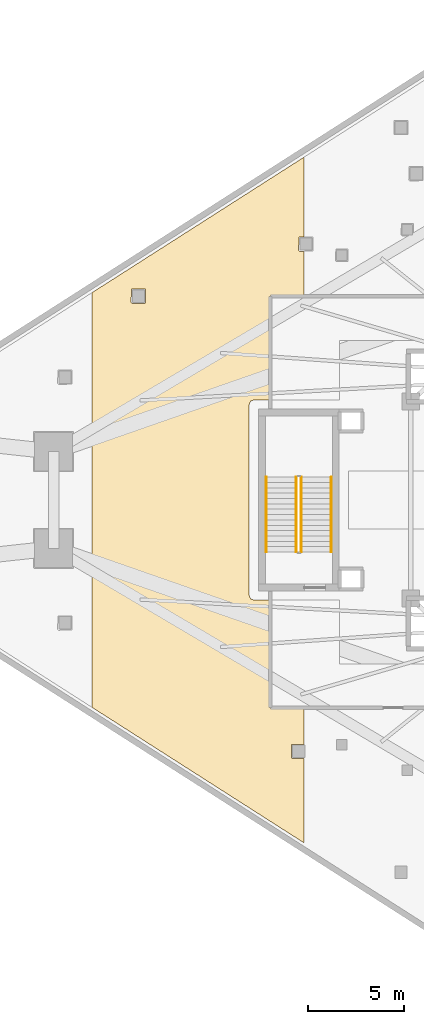
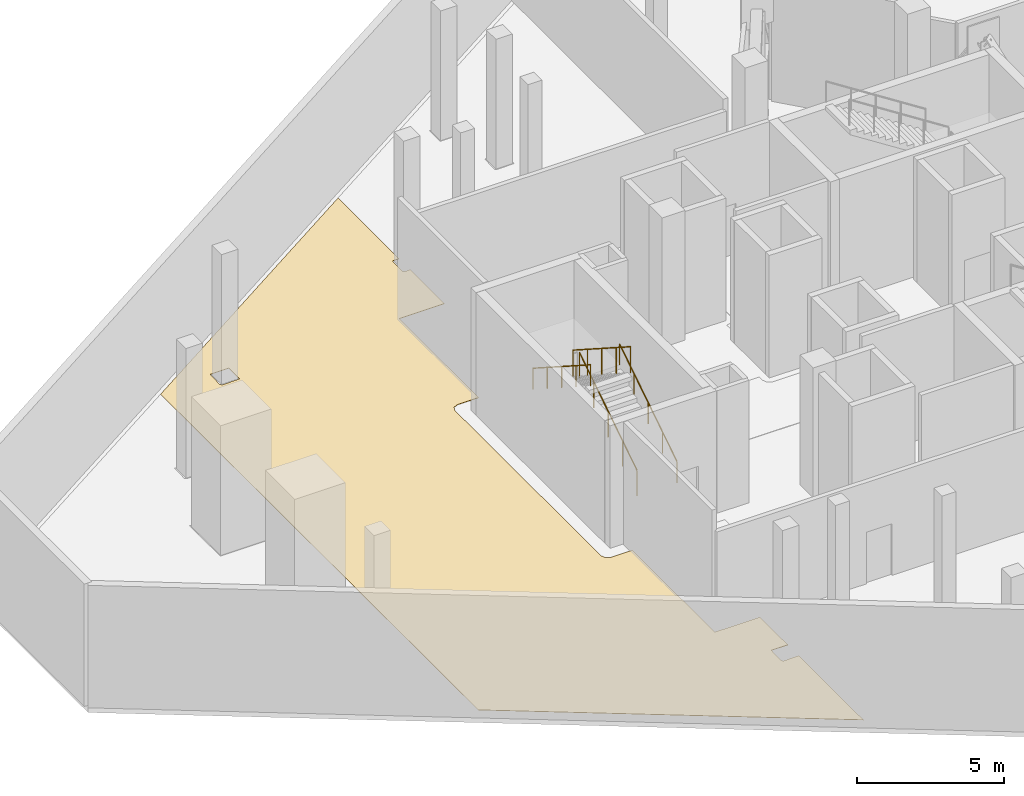
# One storey, part 9 of 13: 4 railings, 1 covering.
"""IFC4 building model written with IfcOpenShell, lengths in metres."""

from ifc_helpers import new_model, si_unit, direction, frame, origin, origin_2d, place, context, subcontext, project, spatial, polyline, circle, outline, extrude, material, layer, layer_set, type_object, element, save


model = new_model("IFC4")

# Units and contexts
model_context = context("Model", 3, precision=1e-05, world=origin(), true_north=direction((0.0, 1.0)))
body_context = subcontext(model_context, "Body", "Model", "MODEL_VIEW")
ifc_project = project(units=[si_unit("LENGTHUNIT", "METRE"), si_unit("AREAUNIT", "SQUARE_METRE"), si_unit("VOLUMEUNIT", "CUBIC_METRE"), si_unit("PLANEANGLEUNIT", "RADIAN"), si_unit("MASSUNIT", "GRAM", prefix="KILO")], contexts=[model_context])

# Site, building, storey
site_placement = place(None, origin())
site = spatial("IfcSite", under=ifc_project, at=site_placement, CompositionType="ELEMENT")
building_placement = place(site_placement, origin())
building = spatial("IfcBuilding", under=site, at=building_placement, Name="Qorvath Tower", CompositionType="ELEMENT")
storey_placement = place(building_placement, frame((0.0, 0.0, 174.60009765625)))
storey = spatial("IfcBuildingStorey", under=building, at=storey_placement, Name="L40", CompositionType="ELEMENT", Elevation=174.60009765625)

# Covering
ifc_material_1 = material(Name="Low-VOC modular carpet tile", Category="textile")
ifc_layer = layer(ifc_material_1, 0.014892578125)
ifc_layer_set = layer_set([ifc_layer], Name="COV-FLOOR-CPT")
covering_type = type_object("IfcCoveringType", Name="COV-FLOOR-CPT", PredefinedType="FLOORING", material=ifc_layer_set)
covering_placement = place(storey_placement, origin())
element("IfcCovering", 1, at=covering_placement, inside=storey, type_object=covering_type, Name="L40 Floor Finish 007", PredefinedType="FLOORING", context=body_context, shape_type="SweptSolid", body=[
    extrude(outline(polyline([(-36.082763671875, 10.6630859375), (-36.082763671875, 13.00146484375), (-36.3056640625, 12.995849609375), (-36.36572265625, 13.055908203125), (-36.34814453125, 13.748291015625), (-36.082763671875, 13.748291015625), (-36.082763671875, 17.9208984375), (-47.16064453125, 10.8408203125), (-47.16064453125, -10.8408203125), (-36.082763671875, -17.9208984375), (-36.082763671875, -13.505126953125), (-36.689697265625, -13.5205078125), (-36.749755859375, -13.46044921875), (-36.732177734375, -12.76806640625), (-36.082763671875, -12.76806640625), (-36.082763671875, -10.86181640625), (-37.861572265625, -10.861572265625), (-37.863037109375, -5.239990234375), (-38.699951171875, -5.239990234375), (-38.876708984375, -5.166748046875), (-38.949951171875, -4.989990234375), (-38.949951171875, 4.989990234375), (-38.876708984375, 5.166748046875), (-38.699951171875, 5.239990234375), (-37.863037109375, 5.239990234375), (-37.85791015625, 10.6630859375), (-36.082763671875, 10.6630859375)]), holes=[polyline([(-45.121337890625, 10.327392578125), (-45.103759765625, 11.019775390625), (-44.368896484375, 11.019775390625), (-44.368896484375, 10.284912109375), (-45.061279296875, 10.267333984375), (-45.121337890625, 10.327392578125)])]), origin(), (0.0, 0.0, 1.0), 0.014892578125),
])

# Railings
ifc_material_2 = material(Name="Painted galvanised steel", Category="steel")
railing_type_1 = type_object("IfcRailingType", Name="RL-STR-GRD", PredefinedType="GUARDRAIL", material=ifc_material_2)
railing_1_placement = place(storey_placement, frame((-36.22998046875, -2.719970703125, 0.179931640625)))
element("IfcRailing", 2, at=railing_1_placement, inside=storey, type_object=railing_type_1, Name="L40 TS3 stair guard 1", PredefinedType="GUARDRAIL", context=body_context, shape_type="SweptSolid", body=[
    extrude(circle(Radius=0.02392578125, at=origin_2d()), frame((0.0, 0.0, 1.076171875), z_axis=(0.0, 0.841171666519, 0.540768182723), x_axis=(-1.0, 0.0, 0.0)), (0.0, 0.0, 1.0), 4.66015625),
    extrude(circle(Radius=0.02099609375, at=origin_2d()), origin(), (0.0, 0.0, 1.0), 1.052001953125),
    extrude(circle(Radius=0.02099609375, at=origin_2d()), frame((0.0, 0.97998046875, 0.6298828125)), (0.0, 0.0, 1.0), 1.052001953125),
    extrude(circle(Radius=0.02099609375, at=origin_2d()), frame((0.0, 1.9599609375, 1.260009765625)), (0.0, 0.0, 1.0), 1.052001953125),
    extrude(circle(Radius=0.02099609375, at=origin_2d()), frame((0.0, 2.93994140625, 1.89013671875)), (0.0, 0.0, 1.0), 1.052001953125),
    extrude(circle(Radius=0.02099609375, at=origin_2d()), frame((0.0, 3.919921875, 2.52001953125)), (0.0, 0.0, 1.0), 1.052001953125),
])
railing_2_placement = place(storey_placement, frame((-36.47998046875, 1.199951171875, 2.8798828125)))
element("IfcRailing", 3, at=railing_2_placement, inside=storey, type_object=railing_type_1, Name="L40 TS3 stair guard 3", PredefinedType="GUARDRAIL", context=body_context, shape_type="SweptSolid", body=[
    extrude(circle(Radius=0.02392578125, at=origin_2d()), frame((0.0, 0.0, 1.076171875), z_axis=(0.0, -0.841171666519, 0.540768182723), x_axis=(1.0, 0.0, 0.0)), (0.0, 0.0, 1.0), 4.66015625),
    extrude(circle(Radius=0.02099609375, at=origin_2d()), origin(), (0.0, 0.0, 1.0), 1.052001953125),
    extrude(circle(Radius=0.02099609375, at=origin_2d()), frame((0.0, -0.97998046875, 0.6298828125)), (0.0, 0.0, 1.0), 1.052001953125),
    extrude(circle(Radius=0.02099609375, at=origin_2d()), frame((0.0, -1.9599609375, 1.260009765625)), (0.0, 0.0, 1.0), 1.052001953125),
    extrude(circle(Radius=0.02099609375, at=origin_2d()), frame((0.0, -2.93994140625, 1.89013671875)), (0.0, 0.0, 1.0), 1.052001953125),
    extrude(circle(Radius=0.02099609375, at=origin_2d()), frame((0.0, -3.919921875, 2.52001953125)), (0.0, 0.0, 1.0), 1.052001953125),
])
ifc_material_3 = material(Name="Brushed stainless steel AISI 304", Category="steel")
railing_type_2 = type_object("IfcRailingType", Name="RL-STR-HND", PredefinedType="HANDRAIL", material=ifc_material_3)
railing_3_placement = place(storey_placement, frame((-34.64990234375, -2.719970703125, 0.179931640625)))
element("IfcRailing", 4, at=railing_3_placement, inside=storey, type_object=railing_type_2, Name="L40 TS3 stair handrail 1", PredefinedType="HANDRAIL", context=body_context, shape_type="SweptSolid", body=[
    extrude(circle(Radius=0.02392578125, at=origin_2d()), frame((0.0, 0.0, 0.8759765625), z_axis=(0.0, 0.841171666519, 0.540768182723), x_axis=(-1.0, 0.0, 0.0)), (0.0, 0.0, 1.0), 4.66015625),
    extrude(circle(Radius=0.02099609375, at=origin_2d()), origin(), (0.0, 0.0, 1.0), 0.851806640625),
    extrude(circle(Radius=0.02099609375, at=origin_2d()), frame((0.0, 0.97998046875, 0.6298828125)), (0.0, 0.0, 1.0), 0.851806640625),
    extrude(circle(Radius=0.02099609375, at=origin_2d()), frame((0.0, 1.9599609375, 1.260009765625)), (0.0, 0.0, 1.0), 0.851806640625),
    extrude(circle(Radius=0.02099609375, at=origin_2d()), frame((0.0, 2.93994140625, 1.89013671875)), (0.0, 0.0, 1.0), 0.851806640625),
    extrude(circle(Radius=0.02099609375, at=origin_2d()), frame((0.0, 3.919921875, 2.52001953125)), (0.0, 0.0, 1.0), 0.851806640625),
])
railing_4_placement = place(storey_placement, frame((-38.06005859375, 1.199951171875, 2.8798828125)))
element("IfcRailing", 5, at=railing_4_placement, inside=storey, type_object=railing_type_2, Name="L40 TS3 stair handrail 2", PredefinedType="HANDRAIL", context=body_context, shape_type="SweptSolid", body=[
    extrude(circle(Radius=0.02392578125, at=origin_2d()), frame((0.0, 0.0, 0.8759765625), z_axis=(0.0, -0.841171666519, 0.540768182723), x_axis=(1.0, 0.0, 0.0)), (0.0, 0.0, 1.0), 4.66015625),
    extrude(circle(Radius=0.02099609375, at=origin_2d()), origin(), (0.0, 0.0, 1.0), 0.851806640625),
    extrude(circle(Radius=0.02099609375, at=origin_2d()), frame((0.0, -0.97998046875, 0.6298828125)), (0.0, 0.0, 1.0), 0.851806640625),
    extrude(circle(Radius=0.02099609375, at=origin_2d()), frame((0.0, -1.9599609375, 1.260009765625)), (0.0, 0.0, 1.0), 0.851806640625),
    extrude(circle(Radius=0.02099609375, at=origin_2d()), frame((0.0, -2.93994140625, 1.89013671875)), (0.0, 0.0, 1.0), 0.851806640625),
    extrude(circle(Radius=0.02099609375, at=origin_2d()), frame((0.0, -3.919921875, 2.52001953125)), (0.0, 0.0, 1.0), 0.851806640625),
])

save(model, "model.ifc")
